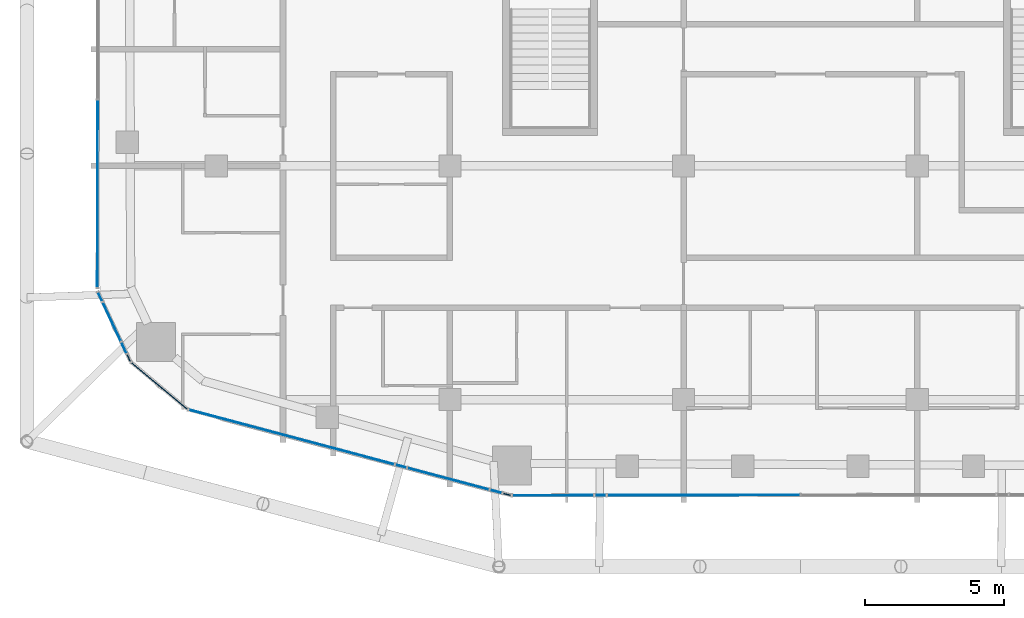
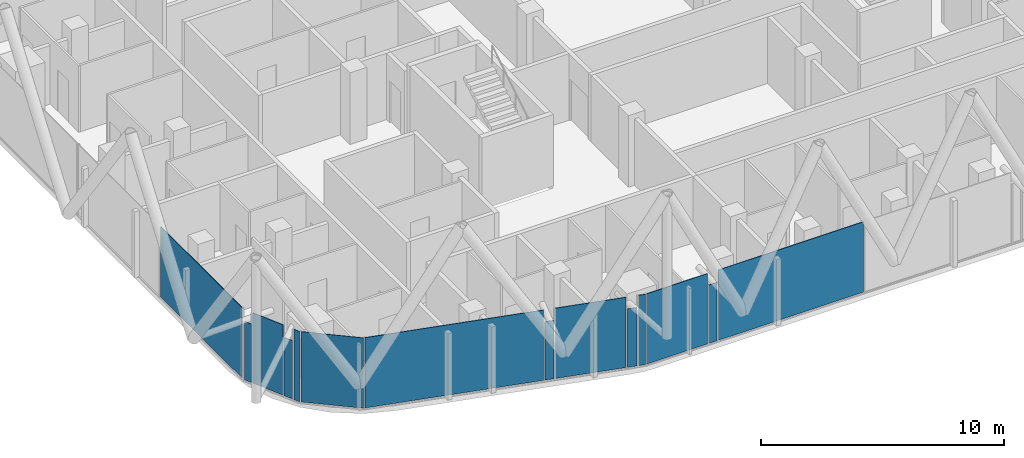
# One storey, part 14 of 31: 14 plates, 14 elements without a shape of their own.
"""IFC4 building model written with IfcOpenShell, lengths in metres."""

from ifc_helpers import new_model, si_unit, direction, frame, origin, origin_2d, place, context, subcontext, project, spatial, rectangle, extrude, material, layer, layer_set, type_object, element, aggregate, save


model = new_model("IFC4")

# Units and contexts
model_context = context("Model", 3, precision=1e-05, world=origin(), true_north=direction((0.0, 1.0)))
body_context = subcontext(model_context, "Body", "Model", "MODEL_VIEW")
ifc_project = project(units=[si_unit("LENGTHUNIT", "METRE"), si_unit("AREAUNIT", "SQUARE_METRE"), si_unit("VOLUMEUNIT", "CUBIC_METRE"), si_unit("PLANEANGLEUNIT", "RADIAN"), si_unit("MASSUNIT", "GRAM", prefix="KILO")], contexts=[model_context])

# Site, building, storey
site_placement = place(None, origin())
site = spatial("IfcSite", under=ifc_project, at=site_placement, CompositionType="ELEMENT")
building_placement = place(site_placement, origin())
building = spatial("IfcBuilding", under=site, at=building_placement, Name="Marenta Gate Hotel Tower", CompositionType="ELEMENT")
storey_placement = place(building_placement, frame((0.0, 0.0, 205.699951171875)))
storey = spatial("IfcBuildingStorey", under=building, at=storey_placement, Name="L47", CompositionType="ELEMENT", Elevation=205.699951171875)

# Curtain wall, plate
ifc_material_1 = material(Name="Tinted insulated glass in bronze anodised frame", Category="glass")
ifc_layer_1 = layer(ifc_material_1, 0.1201171875)
ifc_layer_set_1 = layer_set([ifc_layer_1], Name="Tinted insulated glass in bronze anodised frame")
curtain_wall_type = type_object("IfcCurtainWallType", Name="Tower unitised curtain wall CW1", PredefinedType="NOTDEFINED", material=ifc_layer_set_1)
curtain_wall_1_placement = place(storey_placement, origin())
curtain_wall_1 = element("IfcCurtainWall", 1, at=curtain_wall_1_placement, inside=storey, type_object=curtain_wall_type, Name="CW1 run G08", PredefinedType="NOTDEFINED")
ifc_material_2 = material(Name="Tinted insulated glass", Category="glass")
ifc_layer_2 = layer(ifc_material_2, 0.028076171875)
ifc_layer_set_2 = layer_set([ifc_layer_2], Name="Tinted insulated glass")
plate_type = type_object("IfcPlateType", Name="Glass panel CW1 28 mm tinted insulated unit", PredefinedType="CURTAIN_PANEL", material=ifc_layer_set_2)
plate_1_placement = place(storey_placement, frame((-25.267578125, -17.800537109375, 0.06005859375), z_axis=(0.0, 0.0, 1.0), x_axis=(-0.001564651623, -0.999998775932, 0.0)))
plate_1 = element("IfcPlate", 2, at=plate_1_placement, type_object=plate_type, Name="CW1 panel 3.1", PredefinedType="CURTAIN_PANEL", context=body_context, shape_type="SweptSolid", body=[
    extrude(rectangle(XDim=6.7060546875, YDim=0.028076171875, at=origin_2d()), origin(), (0.0, 0.0, 1.0), 3.5400390625),
])
aggregate(curtain_wall_1, [plate_1])

curtain_wall_2_placement = place(storey_placement, origin())
curtain_wall_2 = element("IfcCurtainWall", 3, at=curtain_wall_2_placement, inside=storey, type_object=curtain_wall_type, Name="CW1 run G09", PredefinedType="NOTDEFINED")
plate_2_placement = place(storey_placement, frame((-25.174560546875, -21.50439453125, 0.06005859375), z_axis=(0.0, 0.0, 1.0), x_axis=(0.423345141478, -0.905968482447, 0.0)))
plate_2 = element("IfcPlate", 4, at=plate_2_placement, type_object=plate_type, Name="CW1 panel 1.1", PredefinedType="CURTAIN_PANEL", context=body_context, shape_type="SweptSolid", body=[
    extrude(rectangle(XDim=0.344970703125, YDim=0.028076171875, at=origin_2d()), origin(), (0.0, 0.0, 1.0), 2.9404296875),
])
aggregate(curtain_wall_2, [plate_2])

curtain_wall_3_placement = place(storey_placement, origin())
curtain_wall_3 = element("IfcCurtainWall", 5, at=curtain_wall_3_placement, inside=storey, type_object=curtain_wall_type, Name="CW1 run G10", PredefinedType="NOTDEFINED")
plate_3_placement = place(storey_placement, frame((-24.75390625, -22.40478515625, 0.06005859375), z_axis=(0.0, 0.0, 1.0), x_axis=(0.423328093078, -0.905976448707, 0.0)))
plate_3 = element("IfcPlate", 6, at=plate_3_placement, type_object=plate_type, Name="CW1 panel 1.1", PredefinedType="CURTAIN_PANEL", context=body_context, shape_type="SweptSolid", body=[
    extrude(rectangle(XDim=1.52294921875, YDim=0.028076171875, at=origin_2d()), origin(), (0.0, 0.0, 1.0), 3.5400390625),
])
aggregate(curtain_wall_3, [plate_3])

curtain_wall_4_placement = place(storey_placement, origin())
curtain_wall_4 = element("IfcCurtainWall", 7, at=curtain_wall_4_placement, inside=storey, type_object=curtain_wall_type, Name="CW1 run G11", PredefinedType="NOTDEFINED")
plate_4_placement = place(storey_placement, frame((-24.317138671875, -23.33935546875, 0.06005859375), z_axis=(0.0, 0.0, 1.0), x_axis=(0.423387289241, -0.905948786251, 0.0)))
plate_4 = element("IfcPlate", 8, at=plate_4_placement, type_object=plate_type, Name="CW1 panel 1.1", PredefinedType="CURTAIN_PANEL", context=body_context, shape_type="SweptSolid", body=[
    extrude(rectangle(XDim=0.419921875, YDim=0.028076171875, at=origin_2d()), origin(), (0.0, 0.0, 1.0), 2.9404296875),
])
aggregate(curtain_wall_4, [plate_4])

curtain_wall_5_placement = place(storey_placement, origin())
curtain_wall_5 = element("IfcCurtainWall", 9, at=curtain_wall_5_placement, inside=storey, type_object=curtain_wall_type, Name="CW1 run G12", PredefinedType="NOTDEFINED")
plate_5_placement = place(storey_placement, frame((-24.142822265625, -23.71240234375, 0.06005859375), z_axis=(0.0, 0.0, 1.0), x_axis=(0.423299800084, -0.905989668401, 0.0)))
plate_5 = element("IfcPlate", 10, at=plate_5_placement, type_object=plate_type, Name="CW1 panel 1.1", PredefinedType="CURTAIN_PANEL", context=body_context, shape_type="SweptSolid", body=[
    extrude(rectangle(XDim=0.283447265625, YDim=0.028076171875, at=origin_2d()), origin(), (0.0, 0.0, 1.0), 3.5400390625),
])
aggregate(curtain_wall_5, [plate_5])

curtain_wall_6_placement = place(storey_placement, origin())
curtain_wall_6 = element("IfcCurtainWall", 11, at=curtain_wall_6_placement, inside=storey, type_object=curtain_wall_type, Name="CW1 run G13", PredefinedType="NOTDEFINED")
plate_6_placement = place(storey_placement, frame((-23.0361328125, -24.716064453125, 0.06005859375), z_axis=(0.0, 0.0, 1.0), x_axis=(0.767102345594, -0.641524739495, 0.0)))
plate_6 = element("IfcPlate", 12, at=plate_6_placement, type_object=plate_type, Name="CW1 panel 1.1", PredefinedType="CURTAIN_PANEL", context=body_context, shape_type="SweptSolid", body=[
    extrude(rectangle(XDim=2.609375, YDim=0.028076171875, at=origin_2d()), origin(), (0.0, 0.0, 1.0), 3.5400390625),
])
aggregate(curtain_wall_6, [plate_6])

curtain_wall_7_placement = place(storey_placement, origin())
curtain_wall_7 = element("IfcCurtainWall", 13, at=curtain_wall_7_placement, inside=storey, type_object=curtain_wall_type, Name="CW1 run G14", PredefinedType="NOTDEFINED")
plate_7_placement = place(storey_placement, frame((-18.292724609375, -26.548828125, 0.06005859375), z_axis=(0.0, 0.0, 1.0), x_axis=(0.966375170847, -0.257136207427, 0.0)))
plate_7 = element("IfcPlate", 14, at=plate_7_placement, type_object=plate_type, Name="CW1 panel 1.1", PredefinedType="CURTAIN_PANEL", context=body_context, shape_type="SweptSolid", body=[
    extrude(rectangle(XDim=7.62548828125, YDim=0.028076171875, at=origin_2d()), origin(), (0.0, 0.0, 1.0), 3.5400390625),
])
aggregate(curtain_wall_7, [plate_7])

curtain_wall_8_placement = place(storey_placement, origin())
curtain_wall_8 = element("IfcCurtainWall", 15, at=curtain_wall_8_placement, inside=storey, type_object=curtain_wall_type, Name="CW1 run G15", PredefinedType="NOTDEFINED")
plate_8_placement = place(storey_placement, frame((-14.3603515625, -27.59521484375, 0.06005859375), z_axis=(0.0, 0.0, 1.0), x_axis=(0.966370359942, -0.257154287199, 0.0)))
plate_8 = element("IfcPlate", 16, at=plate_8_placement, type_object=plate_type, Name="CW1 panel 1.1", PredefinedType="CURTAIN_PANEL", context=body_context, shape_type="SweptSolid", body=[
    extrude(rectangle(XDim=0.39306640625, YDim=0.028076171875, at=origin_2d()), origin(), (0.0, 0.0, 1.0), 2.9404296875),
])
aggregate(curtain_wall_8, [plate_8])

curtain_wall_9_placement = place(storey_placement, origin())
curtain_wall_9 = element("IfcCurtainWall", 17, at=curtain_wall_9_placement, inside=storey, type_object=curtain_wall_type, Name="CW1 run G16", PredefinedType="NOTDEFINED")
plate_9_placement = place(storey_placement, frame((-12.658203125, -28.048095703125, 0.06005859375), z_axis=(0.0, 0.0, 1.0), x_axis=(0.96638022581, -0.257117208999, 0.0)))
plate_9 = element("IfcPlate", 18, at=plate_9_placement, type_object=plate_type, Name="CW1 panel 1.1", PredefinedType="CURTAIN_PANEL", context=body_context, shape_type="SweptSolid", body=[
    extrude(rectangle(XDim=3.009765625, YDim=0.028076171875, at=origin_2d()), origin(), (0.0, 0.0, 1.0), 3.5400390625),
])
aggregate(curtain_wall_9, [plate_9])

curtain_wall_10_placement = place(storey_placement, origin())
curtain_wall_10 = element("IfcCurtainWall", 19, at=curtain_wall_10_placement, inside=storey, type_object=curtain_wall_type, Name="CW1 run G17", PredefinedType="NOTDEFINED")
plate_10_placement = place(storey_placement, frame((-10.945068359375, -28.50390625, 0.06005859375), z_axis=(0.0, 0.0, 1.0), x_axis=(0.966384808868, -0.257099982864, 0.0)))
plate_10 = element("IfcPlate", 20, at=plate_10_placement, type_object=plate_type, Name="CW1 panel 1.1", PredefinedType="CURTAIN_PANEL", context=body_context, shape_type="SweptSolid", body=[
    extrude(rectangle(XDim=0.415771484375, YDim=0.028076171875, at=origin_2d()), origin(), (0.0, 0.0, 1.0), 2.9404296875),
])
aggregate(curtain_wall_10, [plate_10])

curtain_wall_11_placement = place(storey_placement, origin())
curtain_wall_11 = element("IfcCurtainWall", 21, at=curtain_wall_11_placement, inside=storey, type_object=curtain_wall_type, Name="CW1 run G18", PredefinedType="NOTDEFINED")
plate_11_placement = place(storey_placement, frame((-10.546142578125, -28.610107421875, 0.06005859375), z_axis=(0.0, 0.0, 1.0), x_axis=(0.966296560535, -0.257431460974, 0.0)))
plate_11 = element("IfcPlate", 22, at=plate_11_placement, type_object=plate_type, Name="CW1 panel 1.1", PredefinedType="CURTAIN_PANEL", context=body_context, shape_type="SweptSolid", body=[
    extrude(rectangle(XDim=0.2900390625, YDim=0.028076171875, at=origin_2d()), origin(), (0.0, 0.0, 1.0), 3.5400390625),
])
aggregate(curtain_wall_11, [plate_11])

curtain_wall_12_placement = place(storey_placement, origin())
curtain_wall_12 = element("IfcCurtainWall", 23, at=curtain_wall_12_placement, inside=storey, type_object=curtain_wall_type, Name="CW1 run G19", PredefinedType="NOTDEFINED")
plate_12_placement = place(storey_placement, frame((-8.894287109375, -28.64501953125, 0.06005859375), z_axis=(0.0, 0.0, 1.0), x_axis=(0.999998632869, 0.001653559645, 0.0)))
plate_12 = element("IfcPlate", 24, at=plate_12_placement, type_object=plate_type, Name="CW1 panel 1.1", PredefinedType="CURTAIN_PANEL", context=body_context, shape_type="SweptSolid", body=[
    extrude(rectangle(XDim=2.9033203125, YDim=0.028076171875, at=origin_2d()), origin(), (0.0, 0.0, 1.0), 3.5400390625),
])
aggregate(curtain_wall_12, [plate_12])

curtain_wall_13_placement = place(storey_placement, origin())
curtain_wall_13 = element("IfcCurtainWall", 25, at=curtain_wall_13_placement, inside=storey, type_object=curtain_wall_type, Name="CW1 run G20", PredefinedType="NOTDEFINED")
plate_13_placement = place(storey_placement, frame((-7.186279296875, -28.64208984375, 0.06005859375), z_axis=(0.0, 0.0, 1.0), x_axis=(0.999998440618, 0.001766001654, 0.0)))
plate_13 = element("IfcPlate", 26, at=plate_13_placement, type_object=plate_type, Name="CW1 panel 1.1", PredefinedType="CURTAIN_PANEL", context=body_context, shape_type="SweptSolid", body=[
    extrude(rectangle(XDim=0.39306640625, YDim=0.028076171875, at=origin_2d()), origin(), (0.0, 0.0, 1.0), 2.9404296875),
])
aggregate(curtain_wall_13, [plate_13])

curtain_wall_14_placement = place(storey_placement, origin())
curtain_wall_14 = element("IfcCurtainWall", 27, at=curtain_wall_14_placement, inside=storey, type_object=curtain_wall_type, Name="CW1 run G21", PredefinedType="NOTDEFINED")
plate_14_placement = place(storey_placement, frame((-3.474853515625, -28.635986328125, 0.06005859375), z_axis=(0.0, 0.0, 1.0), x_axis=(0.99999866205, 0.001635817263, 0.0)))
plate_14 = element("IfcPlate", 28, at=plate_14_placement, type_object=plate_type, Name="CW1 panel 1.1", PredefinedType="CURTAIN_PANEL", context=body_context, shape_type="SweptSolid", body=[
    extrude(rectangle(XDim=6.90966796875, YDim=0.028076171875, at=origin_2d()), origin(), (0.0, 0.0, 1.0), 3.5400390625),
])
aggregate(curtain_wall_14, [plate_14])

save(model, "model.ifc")
